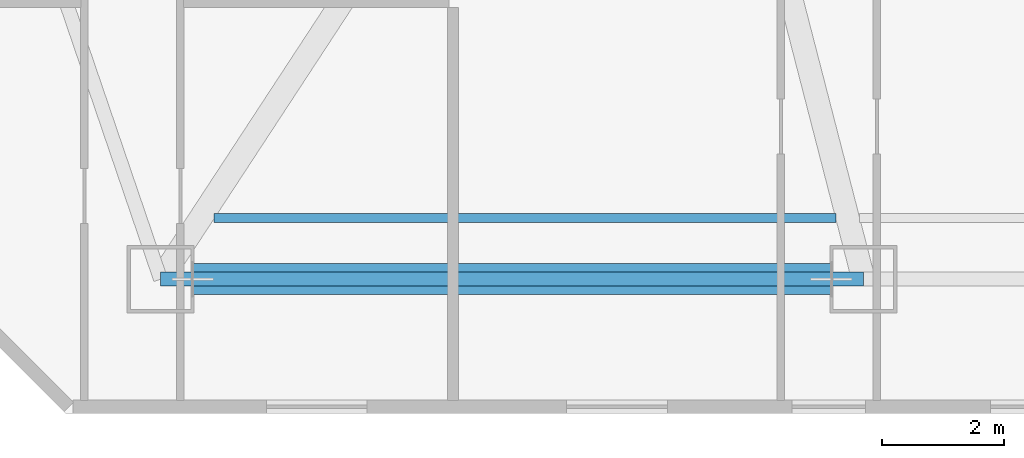
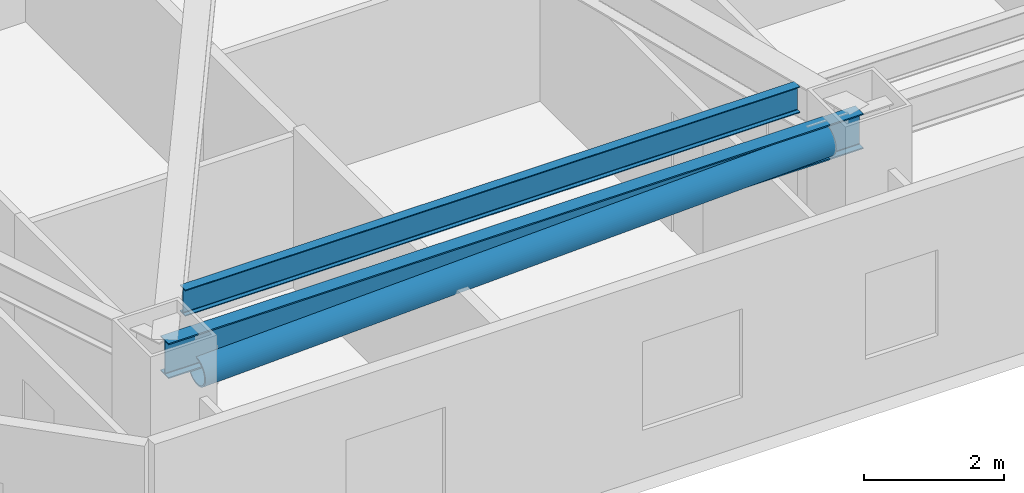
# One storey, part 3 of 19: 2 beams, 1 member.
"""IFC4 building model written with IfcOpenShell, lengths in metres."""

import ifcopenshell
import ifcopenshell.guid

model = None  # the IFC model being written
_history = None  # IfcOwnerHistory: only IFC2X3 demands one
_inside = {}  # id of a spatial element -> (the spatial element, [elements in it])
_under = {}  # id of a project, library or spatial element -> (it, [spatial elements below it])
_declared = {}  # id of a project -> (the project, [libraries it declares])
_typed = {}  # id of a type object -> (the type object, [elements of that type])
_made_of = {}  # id of a material, layer set ... -> (it, [elements and type objects made of it])


def new_model(schema):
    """Start an empty IFC model of exactly this schema.

    Asked for "IFC4X3", IfcOpenShell would pick the latest addendum, in which some entities
    have other attributes; the version numbers below select the first issue.
    IFC2X3 requires an IfcOwnerHistory on every rooted entity: one is made here for all.
    """
    global model, _history
    if schema == "IFC4X3":
        model = ifcopenshell.file(schema_version=(4, 3, 0, 0))
    else:
        model = ifcopenshell.file(schema=schema)
    _inside.clear()
    _under.clear()
    _declared.clear()
    _typed.clear()
    _made_of.clear()
    _history = None
    if model.schema == "IFC2X3":
        org = make("IfcOrganization", Name="unknown")
        user = make(
            "IfcPersonAndOrganization",
            ThePerson=make("IfcPerson", FamilyName="unknown"),
            TheOrganization=org,
        )
        app = make(
            "IfcApplication",
            ApplicationDeveloper=org,
            Version="unknown",
            ApplicationFullName="unknown",
            ApplicationIdentifier="unknown",
        )
        _history = make(
            "IfcOwnerHistory",
            OwningUser=user,
            OwningApplication=app,
            ChangeAction="ADDED",
            CreationDate=0,
        )
    return model


def make(cls, **values):
    """One entity of the class cls with the attributes given. An attribute that is None is left unset."""
    return model.create_entity(
        cls, **{name: value for name, value in values.items() if value is not None}
    )


def rooted(cls, **values):
    """An entity with a GlobalId (a new one), such as an element, a storey or a relation."""
    return make(cls, GlobalId=ifcopenshell.guid.new(), OwnerHistory=_history, **values)


def si_unit(unit_type, name, prefix=None):
    """IfcSIUnit, for example si_unit("LENGTHUNIT", "METRE", prefix="MILLI")."""
    return make("IfcSIUnit", UnitType=unit_type, Prefix=prefix, Name=name)


def assignment(units):
    """IfcUnitAssignment: the units of a project."""
    return None if units is None else make("IfcUnitAssignment", Units=units)


def point(xyz):
    """IfcCartesianPoint."""
    return None if xyz is None else make("IfcCartesianPoint", Coordinates=xyz)


def direction(xyz):
    """IfcDirection."""
    return None if xyz is None else make("IfcDirection", DirectionRatios=xyz)


def frame(location, z_axis=None, x_axis=None):
    """IfcAxis2Placement3D, a coordinate frame: its origin and axes. An axis left out is left unset."""
    return make(
        "IfcAxis2Placement3D",
        Location=point(location),
        Axis=direction(z_axis),
        RefDirection=direction(x_axis),
    )


def frame_2d(location, x_axis=None):
    """IfcAxis2Placement2D, a coordinate frame in the plane: its origin and x axis."""
    return make(
        "IfcAxis2Placement2D", Location=point(location), RefDirection=direction(x_axis)
    )


def origin():
    """The frame at (0, 0, 0) with its axes left unset."""
    return frame((0.0, 0.0, 0.0))


def origin_2d():
    """The frame at (0, 0) in the plane with its x axis left unset."""
    return frame_2d((0.0, 0.0))


def place(relative_to, where):
    """IfcLocalPlacement: puts the frame where relative to a parent placement (None: the world)."""
    return make(
        "IfcLocalPlacement", PlacementRelTo=relative_to, RelativePlacement=where
    )


def context(
    kind, dimensions, precision=None, world=None, true_north=None, identifier=None
):
    """IfcGeometricRepresentationContext, for example the 3D "Model" context."""
    return make(
        "IfcGeometricRepresentationContext",
        ContextIdentifier=identifier,
        ContextType=kind,
        CoordinateSpaceDimension=dimensions,
        Precision=precision,
        WorldCoordinateSystem=world,
        TrueNorth=true_north,
    )


def subcontext(parent, identifier, kind, view, scale=None):
    """IfcGeometricRepresentationSubContext, for example "Body" below "Model"."""
    return make(
        "IfcGeometricRepresentationSubContext",
        ContextIdentifier=identifier,
        ContextType=kind,
        ParentContext=parent,
        TargetScale=scale,
        TargetView=view,
    )


def project(units=None, contexts=None):
    """IfcProject with its units and contexts."""
    return rooted(
        "IfcProject",
        Name="project",
        RepresentationContexts=contexts,
        UnitsInContext=assignment(units),
    )


def spatial(cls, under=None, at=None, **own):
    """A site, building, storey or space (cls), placed at a placement, below another one or the project."""
    s = rooted(cls, ObjectPlacement=at, **own)
    if under is not None:
        _under.setdefault(under.id(), (under, []))[1].append(s)
    return s


def profile(cls, at=None, kind="AREA", **sizes):
    """A parametric profile (cls). Its sizes go by their IFC names, for example OverallWidth=200.0."""
    return make(cls, ProfileType=kind, Position=at, **sizes)


def hollow_circle(**sizes):
    """IfcCircleHollowProfileDef."""
    return profile("IfcCircleHollowProfileDef", **sizes)


def i_section(**sizes):
    """IfcIShapeProfileDef."""
    return profile("IfcIShapeProfileDef", **sizes)


def extrude(swept, where, along, depth):
    """IfcExtrudedAreaSolid: the profile swept, set in the frame where, extruded along a direction by depth."""
    return make(
        "IfcExtrudedAreaSolid",
        SweptArea=swept,
        Position=where,
        ExtrudedDirection=direction(along),
        Depth=depth,
    )


def shape(context_of_items, identifier, shape_type, items):
    """IfcShapeRepresentation: the items that make up one representation, for example the "Body"."""
    return make(
        "IfcShapeRepresentation",
        ContextOfItems=context_of_items,
        RepresentationIdentifier=identifier,
        RepresentationType=shape_type,
        Items=items,
    )


def material(Name=None, Category=None):
    """IfcMaterial."""
    return make("IfcMaterial", Name=Name, Category=Category)


def material_profile(
    of_material, cross_section, Name=None, Category=None, Priority=None
):
    """IfcMaterialProfile: a cross section and its material."""
    return make(
        "IfcMaterialProfile",
        Name=Name,
        Material=of_material,
        Profile=cross_section,
        Priority=Priority,
        Category=Category,
    )


def profile_set(profiles, Name=None, composite=None):
    """IfcMaterialProfileSet."""
    return make(
        "IfcMaterialProfileSet",
        Name=Name,
        MaterialProfiles=profiles,
        CompositeProfile=composite,
    )


def made_of(thing, what):
    """Note that an element or type object is made of a material, layer set ...; save() writes the relation."""
    if what is not None:
        _made_of.setdefault(what.id(), (what, []))[1].append(thing)
    return thing


def type_object(cls, material=None, **own):
    """A type object (cls), such as IfcWallType, which elements share."""
    return made_of(rooted(cls, **own), material)


def element(
    cls,
    number,
    at=None,
    inside=None,
    cuts=None,
    type_object=None,
    material=None,
    context=None,
    identifier="Body",
    shape_type=None,
    held_by="IfcProductDefinitionShape",
    body=None,
    shapes=None,
    **own,
):
    """One element of the class cls, such as IfcWall. Its Tag is "e" and its number.

    at: its placement. inside: the storey or other place that contains it. cuts: it is an
    opening in that element (IfcRelVoidsElement). A single representation is given by context,
    identifier, shape_type and body (its items); several are given by shapes. held_by: the class
    of the entity that holds the representations. save() writes the other relations.
    """
    e = rooted(cls, Tag="e%d" % number, ObjectPlacement=at, **own)
    if body is not None:
        shapes = [shape(context, identifier, shape_type, body)]
    if shapes is not None:
        e.Representation = make(held_by, Representations=shapes)
    if inside is not None:
        _inside.setdefault(inside.id(), (inside, []))[1].append(e)
    if cuts is not None:
        rooted(
            "IfcRelVoidsElement", RelatingBuildingElement=cuts, RelatedOpeningElement=e
        )
    if type_object is not None:
        _typed.setdefault(type_object.id(), (type_object, []))[1].append(e)
    return made_of(e, material)


def aggregate(whole, parts):
    """IfcRelAggregates: a whole, such as a stair, and the parts it consists of."""
    return rooted("IfcRelAggregates", RelatingObject=whole, RelatedObjects=parts)


def save(model, path):
    """Write the relations noted so far, then the file.

    IfcRelAggregates (storeys below a building ...), IfcRelContainedInSpatialStructure (elements
    in a storey), IfcRelDefinesByType, IfcRelAssociatesMaterial and IfcRelDeclares: one each for
    every whole, place, type object, material and project.
    """
    for whole, parts in _under.values():
        aggregate(whole, parts)
    for where, things in _inside.values():
        rooted(
            "IfcRelContainedInSpatialStructure",
            RelatedElements=things,
            RelatingStructure=where,
        )
    for kind, things in _typed.values():
        rooted("IfcRelDefinesByType", RelatedObjects=things, RelatingType=kind)
    for what, things in _made_of.values():
        rooted("IfcRelAssociatesMaterial", RelatedObjects=things, RelatingMaterial=what)
    for by, libraries in _declared.values():
        rooted("IfcRelDeclares", RelatingContext=by, RelatedDefinitions=libraries)
    model.write(path)


model = new_model("IFC4")

# Units and contexts
model_context = context("Model", 3, precision=1e-05, world=origin(), true_north=direction((0.0, 1.0)))
body_context = subcontext(model_context, "Body", "Model", "MODEL_VIEW")
ifc_project = project(units=[si_unit("LENGTHUNIT", "METRE"), si_unit("AREAUNIT", "SQUARE_METRE"), si_unit("VOLUMEUNIT", "CUBIC_METRE"), si_unit("PLANEANGLEUNIT", "RADIAN"), si_unit("MASSUNIT", "GRAM", prefix="KILO")], contexts=[model_context])

# Site, building, storey
site_placement = place(None, origin())
site = spatial("IfcSite", under=ifc_project, at=site_placement, CompositionType="ELEMENT")
building_placement = place(site_placement, origin())
building = spatial("IfcBuilding", under=site, at=building_placement, Name="Khamvora Tower", CompositionType="ELEMENT")
storey_placement = place(building_placement, frame((0.0, 0.0, 58.85009765625)))
storey = spatial("IfcBuildingStorey", under=building, at=storey_placement, Name="L14", CompositionType="ELEMENT", Elevation=58.85009765625)

# Beams
ifc_material_1 = material(Name="Steel S355", Category="steel")
ifc_material_profile_1 = material_profile(ifc_material_1, i_section(OverallWidth=0.154052734375, OverallDepth=0.458984375, WebThickness=0.009033203125, FlangeThickness=0.014892578125, FilletRadius=0.011962890625, at=origin_2d()), Name="W460x68")
ifc_profile_set_1 = profile_set([ifc_material_profile_1], Name="Steel S355")
beam_type_1 = type_object("IfcBeamType", Name="BM-JS-W460x68", PredefinedType="JOIST", material=ifc_profile_set_1)
beam_1_placement = place(storey_placement, frame((10.626953125, 6.199951171875, 3.199951171875), z_axis=(1.0, 0.0, 0.0), x_axis=(0.0, 1.0, 0.0)))
element("IfcBeam", 1, at=beam_1_placement, inside=storey, type_object=beam_type_1, Name="L14 secondary floor joist 01", PredefinedType="JOIST", context=body_context, shape_type="SweptSolid", body=[
    extrude(i_section(OverallWidth=0.154052734375, OverallDepth=0.458984375, WebThickness=0.009033203125, FlangeThickness=0.014892578125, FilletRadius=0.011962890625, at=origin_2d()), origin(), (0.0, 0.0, 1.0), 10.173095703125),
])
ifc_material_profile_2 = material_profile(ifc_material_1, i_section(OverallWidth=0.22998046875, OverallDepth=0.616943359375, WebThickness=0.012939453125, FlangeThickness=0.02197265625, FilletRadius=0.013916015625, at=origin_2d()), Name="W610x140")
ifc_profile_set_2 = profile_set([ifc_material_profile_2], Name="Steel S355")
beam_type_2 = type_object("IfcBeamType", Name="BM-SP-W610x140", PredefinedType="SPANDREL", material=ifc_profile_set_2)
beam_2_placement = place(storey_placement, frame((9.75, 5.199951171875, 3.120849609375), z_axis=(1.0, 0.0, 0.0), x_axis=(0.0, 1.0, 0.0)))
element("IfcBeam", 2, at=beam_2_placement, inside=storey, type_object=beam_type_2, Name="L14 perimeter spandrel beam S1-S2", PredefinedType="SPANDREL", context=body_context, shape_type="SweptSolid", body=[
    extrude(i_section(OverallWidth=0.22998046875, OverallDepth=0.616943359375, WebThickness=0.012939453125, FlangeThickness=0.02197265625, FilletRadius=0.013916015625, at=origin_2d()), origin(), (0.0, 0.0, 1.0), 11.5),
])

# Member
ifc_material_2 = material(Name="Steel S460", Category="steel")
ifc_material_profile_3 = material_profile(ifc_material_2, hollow_circle(Radius=0.25390625, WallThickness=0.02490234375, at=origin_2d()), Name="CHS508x25")
ifc_profile_set_3 = profile_set([ifc_material_profile_3], Name="Steel S460")
member_type = type_object("IfcMemberType", Name="MEM-BR-CHS508", PredefinedType="BRACE", material=ifc_profile_set_3)
member_placement = place(storey_placement, frame((10.280029296875, 5.199951171875, 2.699951171875), z_axis=(0.999263588849, 0.0, 0.038370301036), x_axis=(0.0, 1.0, 0.0)))
element("IfcMember", 3, at=member_placement, inside=storey, type_object=member_type, Name="L14 perimeter wind brace 1", PredefinedType="BRACE", context=body_context, shape_type="SweptSolid", body=[
    extrude(hollow_circle(Radius=0.25390625, WallThickness=0.02490234375, at=origin_2d()), origin(), (0.0, 0.0, 1.0), 10.44775390625),
])

save(model, "model.ifc")
